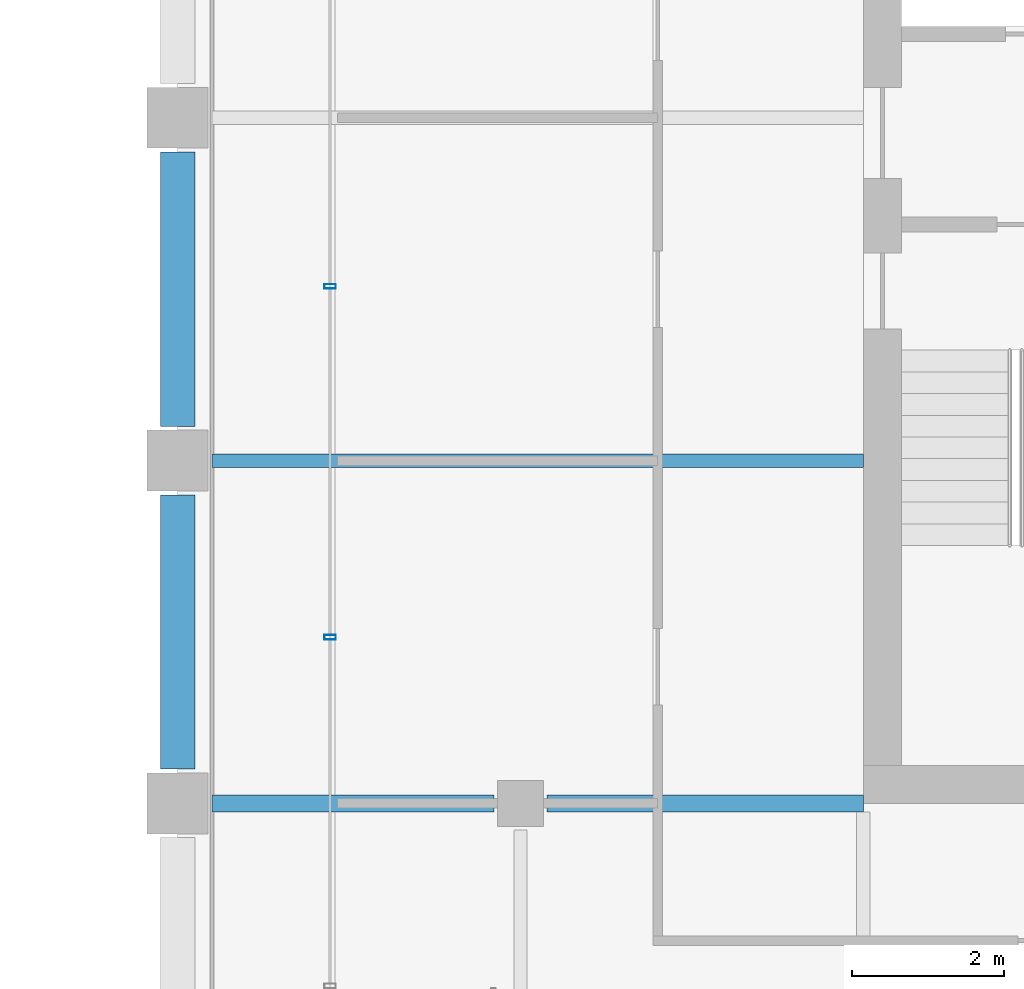
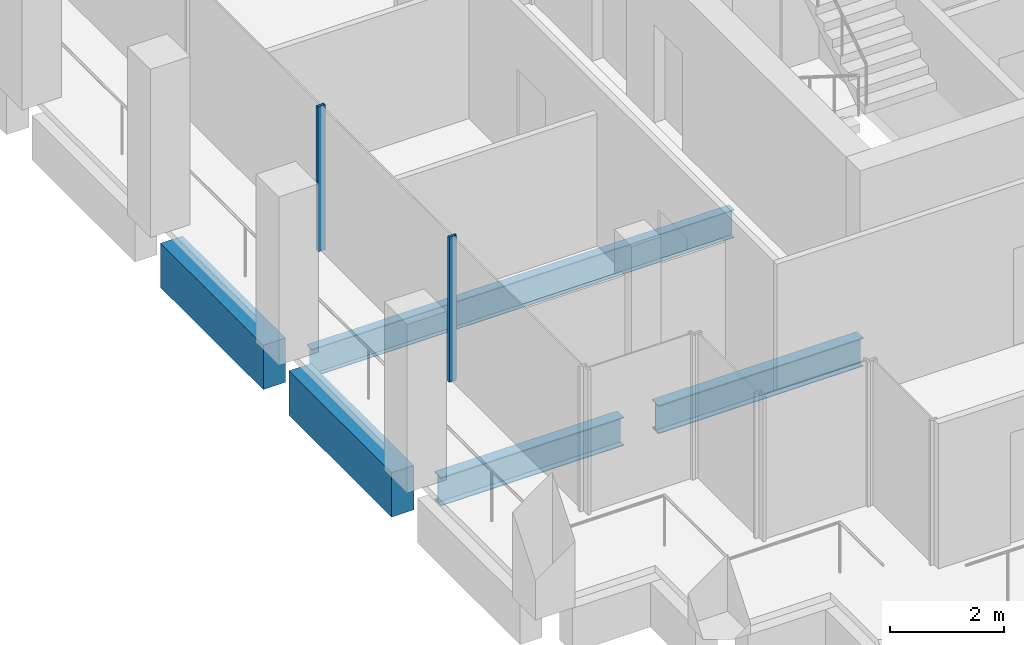
# One storey, part 30 of 40: 5 beams, 2 members, 1 element without a shape of its own.
"""IFC4 building model written with IfcOpenShell, lengths in metres."""

import ifcopenshell
import ifcopenshell.guid

model = None  # the IFC model being written
_history = None  # IfcOwnerHistory: only IFC2X3 demands one
_inside = {}  # id of a spatial element -> (the spatial element, [elements in it])
_under = {}  # id of a project, library or spatial element -> (it, [spatial elements below it])
_declared = {}  # id of a project -> (the project, [libraries it declares])
_typed = {}  # id of a type object -> (the type object, [elements of that type])
_made_of = {}  # id of a material, layer set ... -> (it, [elements and type objects made of it])


def new_model(schema):
    """Start an empty IFC model of exactly this schema.

    Asked for "IFC4X3", IfcOpenShell would pick the latest addendum, in which some entities
    have other attributes; the version numbers below select the first issue.
    IFC2X3 requires an IfcOwnerHistory on every rooted entity: one is made here for all.
    """
    global model, _history
    if schema == "IFC4X3":
        model = ifcopenshell.file(schema_version=(4, 3, 0, 0))
    else:
        model = ifcopenshell.file(schema=schema)
    _inside.clear()
    _under.clear()
    _declared.clear()
    _typed.clear()
    _made_of.clear()
    _history = None
    if model.schema == "IFC2X3":
        org = make("IfcOrganization", Name="unknown")
        user = make(
            "IfcPersonAndOrganization",
            ThePerson=make("IfcPerson", FamilyName="unknown"),
            TheOrganization=org,
        )
        app = make(
            "IfcApplication",
            ApplicationDeveloper=org,
            Version="unknown",
            ApplicationFullName="unknown",
            ApplicationIdentifier="unknown",
        )
        _history = make(
            "IfcOwnerHistory",
            OwningUser=user,
            OwningApplication=app,
            ChangeAction="ADDED",
            CreationDate=0,
        )
    return model


def make(cls, **values):
    """One entity of the class cls with the attributes given. An attribute that is None is left unset."""
    return model.create_entity(
        cls, **{name: value for name, value in values.items() if value is not None}
    )


def rooted(cls, **values):
    """An entity with a GlobalId (a new one), such as an element, a storey or a relation."""
    return make(cls, GlobalId=ifcopenshell.guid.new(), OwnerHistory=_history, **values)


def si_unit(unit_type, name, prefix=None):
    """IfcSIUnit, for example si_unit("LENGTHUNIT", "METRE", prefix="MILLI")."""
    return make("IfcSIUnit", UnitType=unit_type, Prefix=prefix, Name=name)


def assignment(units):
    """IfcUnitAssignment: the units of a project."""
    return None if units is None else make("IfcUnitAssignment", Units=units)


def point(xyz):
    """IfcCartesianPoint."""
    return None if xyz is None else make("IfcCartesianPoint", Coordinates=xyz)


def direction(xyz):
    """IfcDirection."""
    return None if xyz is None else make("IfcDirection", DirectionRatios=xyz)


def frame(location, z_axis=None, x_axis=None):
    """IfcAxis2Placement3D, a coordinate frame: its origin and axes. An axis left out is left unset."""
    return make(
        "IfcAxis2Placement3D",
        Location=point(location),
        Axis=direction(z_axis),
        RefDirection=direction(x_axis),
    )


def frame_2d(location, x_axis=None):
    """IfcAxis2Placement2D, a coordinate frame in the plane: its origin and x axis."""
    return make(
        "IfcAxis2Placement2D", Location=point(location), RefDirection=direction(x_axis)
    )


def origin():
    """The frame at (0, 0, 0) with its axes left unset."""
    return frame((0.0, 0.0, 0.0))


def origin_2d():
    """The frame at (0, 0) in the plane with its x axis left unset."""
    return frame_2d((0.0, 0.0))


def place(relative_to, where):
    """IfcLocalPlacement: puts the frame where relative to a parent placement (None: the world)."""
    return make(
        "IfcLocalPlacement", PlacementRelTo=relative_to, RelativePlacement=where
    )


def context(
    kind, dimensions, precision=None, world=None, true_north=None, identifier=None
):
    """IfcGeometricRepresentationContext, for example the 3D "Model" context."""
    return make(
        "IfcGeometricRepresentationContext",
        ContextIdentifier=identifier,
        ContextType=kind,
        CoordinateSpaceDimension=dimensions,
        Precision=precision,
        WorldCoordinateSystem=world,
        TrueNorth=true_north,
    )


def subcontext(parent, identifier, kind, view, scale=None):
    """IfcGeometricRepresentationSubContext, for example "Body" below "Model"."""
    return make(
        "IfcGeometricRepresentationSubContext",
        ContextIdentifier=identifier,
        ContextType=kind,
        ParentContext=parent,
        TargetScale=scale,
        TargetView=view,
    )


def project(units=None, contexts=None):
    """IfcProject with its units and contexts."""
    return rooted(
        "IfcProject",
        Name="project",
        RepresentationContexts=contexts,
        UnitsInContext=assignment(units),
    )


def spatial(cls, under=None, at=None, **own):
    """A site, building, storey or space (cls), placed at a placement, below another one or the project."""
    s = rooted(cls, ObjectPlacement=at, **own)
    if under is not None:
        _under.setdefault(under.id(), (under, []))[1].append(s)
    return s


def profile(cls, at=None, kind="AREA", **sizes):
    """A parametric profile (cls). Its sizes go by their IFC names, for example OverallWidth=200.0."""
    return make(cls, ProfileType=kind, Position=at, **sizes)


def rectangle(**sizes):
    """IfcRectangleProfileDef."""
    return profile("IfcRectangleProfileDef", **sizes)


def hollow_rectangle(**sizes):
    """IfcRectangleHollowProfileDef."""
    return profile("IfcRectangleHollowProfileDef", **sizes)


def i_section(**sizes):
    """IfcIShapeProfileDef."""
    return profile("IfcIShapeProfileDef", **sizes)


def extrude(swept, where, along, depth):
    """IfcExtrudedAreaSolid: the profile swept, set in the frame where, extruded along a direction by depth."""
    return make(
        "IfcExtrudedAreaSolid",
        SweptArea=swept,
        Position=where,
        ExtrudedDirection=direction(along),
        Depth=depth,
    )


def shape(context_of_items, identifier, shape_type, items):
    """IfcShapeRepresentation: the items that make up one representation, for example the "Body"."""
    return make(
        "IfcShapeRepresentation",
        ContextOfItems=context_of_items,
        RepresentationIdentifier=identifier,
        RepresentationType=shape_type,
        Items=items,
    )


def material(Name=None, Category=None):
    """IfcMaterial."""
    return make("IfcMaterial", Name=Name, Category=Category)


def material_profile(
    of_material, cross_section, Name=None, Category=None, Priority=None
):
    """IfcMaterialProfile: a cross section and its material."""
    return make(
        "IfcMaterialProfile",
        Name=Name,
        Material=of_material,
        Profile=cross_section,
        Priority=Priority,
        Category=Category,
    )


def profile_set(profiles, Name=None, composite=None):
    """IfcMaterialProfileSet."""
    return make(
        "IfcMaterialProfileSet",
        Name=Name,
        MaterialProfiles=profiles,
        CompositeProfile=composite,
    )


def made_of(thing, what):
    """Note that an element or type object is made of a material, layer set ...; save() writes the relation."""
    if what is not None:
        _made_of.setdefault(what.id(), (what, []))[1].append(thing)
    return thing


def type_object(cls, material=None, **own):
    """A type object (cls), such as IfcWallType, which elements share."""
    return made_of(rooted(cls, **own), material)


def element(
    cls,
    number,
    at=None,
    inside=None,
    cuts=None,
    type_object=None,
    material=None,
    context=None,
    identifier="Body",
    shape_type=None,
    held_by="IfcProductDefinitionShape",
    body=None,
    shapes=None,
    **own,
):
    """One element of the class cls, such as IfcWall. Its Tag is "e" and its number.

    at: its placement. inside: the storey or other place that contains it. cuts: it is an
    opening in that element (IfcRelVoidsElement). A single representation is given by context,
    identifier, shape_type and body (its items); several are given by shapes. held_by: the class
    of the entity that holds the representations. save() writes the other relations.
    """
    e = rooted(cls, Tag="e%d" % number, ObjectPlacement=at, **own)
    if body is not None:
        shapes = [shape(context, identifier, shape_type, body)]
    if shapes is not None:
        e.Representation = make(held_by, Representations=shapes)
    if inside is not None:
        _inside.setdefault(inside.id(), (inside, []))[1].append(e)
    if cuts is not None:
        rooted(
            "IfcRelVoidsElement", RelatingBuildingElement=cuts, RelatedOpeningElement=e
        )
    if type_object is not None:
        _typed.setdefault(type_object.id(), (type_object, []))[1].append(e)
    return made_of(e, material)


def aggregate(whole, parts):
    """IfcRelAggregates: a whole, such as a stair, and the parts it consists of."""
    return rooted("IfcRelAggregates", RelatingObject=whole, RelatedObjects=parts)


def save(model, path):
    """Write the relations noted so far, then the file.

    IfcRelAggregates (storeys below a building ...), IfcRelContainedInSpatialStructure (elements
    in a storey), IfcRelDefinesByType, IfcRelAssociatesMaterial and IfcRelDeclares: one each for
    every whole, place, type object, material and project.
    """
    for whole, parts in _under.values():
        aggregate(whole, parts)
    for where, things in _inside.values():
        rooted(
            "IfcRelContainedInSpatialStructure",
            RelatedElements=things,
            RelatingStructure=where,
        )
    for kind, things in _typed.values():
        rooted("IfcRelDefinesByType", RelatedObjects=things, RelatingType=kind)
    for what, things in _made_of.values():
        rooted("IfcRelAssociatesMaterial", RelatedObjects=things, RelatingMaterial=what)
    for by, libraries in _declared.values():
        rooted("IfcRelDeclares", RelatingContext=by, RelatedDefinitions=libraries)
    model.write(path)


model = new_model("IFC4")

# Units and contexts
model_context = context("Model", 3, precision=1e-05, world=origin(), true_north=direction((0.0, 1.0)))
body_context = subcontext(model_context, "Body", "Model", "MODEL_VIEW")
ifc_project = project(units=[si_unit("LENGTHUNIT", "METRE"), si_unit("AREAUNIT", "SQUARE_METRE"), si_unit("VOLUMEUNIT", "CUBIC_METRE"), si_unit("PLANEANGLEUNIT", "RADIAN"), si_unit("MASSUNIT", "GRAM", prefix="KILO")], contexts=[model_context])

# Site, building, storey
site_placement = place(None, origin())
site = spatial("IfcSite", under=ifc_project, at=site_placement, CompositionType="ELEMENT")
building_placement = place(site_placement, origin())
building = spatial("IfcBuilding", under=site, at=building_placement, Name="Altepetl Exchange Towers", CompositionType="ELEMENT")
storey_placement = place(building_placement, frame((0.0, 0.0, 195.60009765625)))
storey = spatial("IfcBuildingStorey", under=building, at=storey_placement, Name="L49", CompositionType="ELEMENT", Elevation=195.60009765625)

# Beams
ifc_material_1 = material(Name="Steel S355", Category="steel")
ifc_material_profile_1 = material_profile(ifc_material_1, i_section(OverallWidth=0.177978515625, OverallDepth=0.59912109375, WebThickness=0.010009765625, FlangeThickness=0.0126953125, at=origin_2d()), Name="W24X55")
ifc_profile_set_1 = profile_set([ifc_material_profile_1], Name="Steel S355")
beam_type_1 = type_object("IfcBeamType", Name="Floor beam W24X55", PredefinedType="BEAM", material=ifc_profile_set_1)
beam_1_placement = place(storey_placement, frame((94.949951171875, 40.5, -0.44970703125), z_axis=(1.0, 0.0, 0.0), x_axis=(0.0, 1.0, 0.0)))
element("IfcBeam", 1, at=beam_1_placement, inside=storey, type_object=beam_type_1, Name="bm:B:L49:004", PredefinedType="BEAM", context=body_context, shape_type="SweptSolid", body=[
    extrude(i_section(OverallWidth=0.177978515625, OverallDepth=0.59912109375, WebThickness=0.010009765625, FlangeThickness=0.0126953125, at=origin_2d()), origin(), (0.0, 0.0, 1.0), 8.550048828125),
])
ifc_material_profile_2 = material_profile(ifc_material_1, i_section(OverallWidth=0.22802734375, OverallDepth=0.60791015625, WebThickness=0.01123046875, FlangeThickness=0.017333984375, at=origin_2d()), Name="W24X76")
ifc_profile_set_2 = profile_set([ifc_material_profile_2], Name="Steel S355")
beam_type_2 = type_object("IfcBeamType", Name="Girder W24X76", PredefinedType="BEAM", material=ifc_profile_set_2)
beam_2_placement = place(storey_placement, frame((103.5, 36.0, -0.4541015625), z_axis=(-1.0, 0.0, 0.0), x_axis=(0.0, -1.0, 0.0)))
element("IfcBeam", 2, at=beam_2_placement, inside=storey, type_object=beam_type_2, Name="gd:B:L49:000", PredefinedType="BEAM", context=body_context, shape_type="SweptSolid", body=[
    extrude(i_section(OverallWidth=0.22802734375, OverallDepth=0.60791015625, WebThickness=0.01123046875, FlangeThickness=0.017333984375, at=origin_2d()), origin(), (0.0, 0.0, 1.0), 4.14990234375),
])
beam_3_placement = place(storey_placement, frame((98.64990234375, 36.0, -0.4541015625), z_axis=(-1.0, 0.0, 0.0), x_axis=(0.0, -1.0, 0.0)))
element("IfcBeam", 3, at=beam_3_placement, inside=storey, type_object=beam_type_2, Name="gd:B:L49:001", PredefinedType="BEAM", context=body_context, shape_type="SweptSolid", body=[
    extrude(i_section(OverallWidth=0.22802734375, OverallDepth=0.60791015625, WebThickness=0.01123046875, FlangeThickness=0.017333984375, at=origin_2d()), origin(), (0.0, 0.0, 1.0), 3.699951171875),
])

# Curtain wall, members
ifc_material_2 = material(Name="Aluminium 6063-T6 glazing", Category="aluminium")
curtain_wall_type = type_object("IfcCurtainWallType", Name="Loggia glazing system", PredefinedType="NOTDEFINED", material=ifc_material_2)
curtain_wall_placement = place(storey_placement, origin())
curtain_wall = element("IfcCurtainWall", 4, at=curtain_wall_placement, inside=storey, type_object=curtain_wall_type, Name="CW1 run", PredefinedType="NOTDEFINED")
ifc_material_3 = material(Name="Aluminium 6063-T6", Category="aluminium")
ifc_material_profile_3 = material_profile(ifc_material_3, hollow_rectangle(XDim=0.06005859375, YDim=0.14990234375, WallThickness=0.0029296875, at=origin_2d()), Name="Mullion 60x150 aluminium")
ifc_profile_set_3 = profile_set([ifc_material_profile_3], Name="Aluminium 6063-T6")
member_type = type_object("IfcMemberType", Name="Mullion 60x150 aluminium", PredefinedType="MULLION", material=ifc_profile_set_3)
member_1_placement = place(storey_placement, frame((96.5, 42.78759765625, 0.0), z_axis=(0.0, 0.0, 1.0), x_axis=(0.0, -1.0, 0.0)))
member_1 = element("IfcMember", 5, at=member_1_placement, type_object=member_type, Name="MU1 mullion", PredefinedType="MULLION", context=body_context, shape_type="SweptSolid", body=[
    extrude(hollow_rectangle(XDim=0.06005859375, YDim=0.14990234375, WallThickness=0.0029296875, at=origin_2d()), origin(), (0.0, 0.0, 1.0), 3.099853515625),
])
member_2_placement = place(storey_placement, frame((96.5, 38.18115234375, 0.0), z_axis=(0.0, 0.0, 1.0), x_axis=(0.0, -1.0, 0.0)))
member_2 = element("IfcMember", 6, at=member_2_placement, type_object=member_type, Name="MU1 mullion", PredefinedType="MULLION", context=body_context, shape_type="SweptSolid", body=[
    extrude(hollow_rectangle(XDim=0.06005859375, YDim=0.14990234375, WallThickness=0.0029296875, at=origin_2d()), origin(), (0.0, 0.0, 1.0), 3.099853515625),
])
aggregate(curtain_wall, [member_1, member_2])

# Beams
ifc_material_4 = material(Name="Concrete C50/60 precast with cantera rosa facing", Category="concrete")
ifc_material_profile_4 = material_profile(ifc_material_4, rectangle(XDim=0.449951171875, YDim=0.949951171875, at=origin_2d()), Name="450 x 950")
ifc_profile_set_4 = profile_set([ifc_material_profile_4], Name="Concrete C50/60 precast with cantera rosa facing")
beam_type_3 = type_object("IfcBeamType", Name="Spandrel beam 450x950 cantera rosa", PredefinedType="SPANDREL", material=ifc_profile_set_4)
for number, where, z_axis, x_axis, name in (
    (7, (94.5, 44.550048828125, -0.625), (0.0, -1.0, 0.0), (1.0, 0.0, 0.0), "sp:B:L49:017"),
    (8, (94.5, 40.050048828125, -0.625), (0.0, -1.0, 0.0), (1.0, 0.0, 0.0), "sp:B:L49:018"),
):
    element("IfcBeam", number, at=place(storey_placement, frame(where, z_axis=z_axis, x_axis=x_axis)), inside=storey, type_object=beam_type_3, Name=name, PredefinedType="SPANDREL", context=body_context, shape_type="SweptSolid", body=[
        extrude(rectangle(XDim=0.449951171875, YDim=0.949951171875, at=origin_2d()), origin(), (0.0, 0.0, 1.0), 3.60009765625),
    ])

save(model, "model.ifc")
